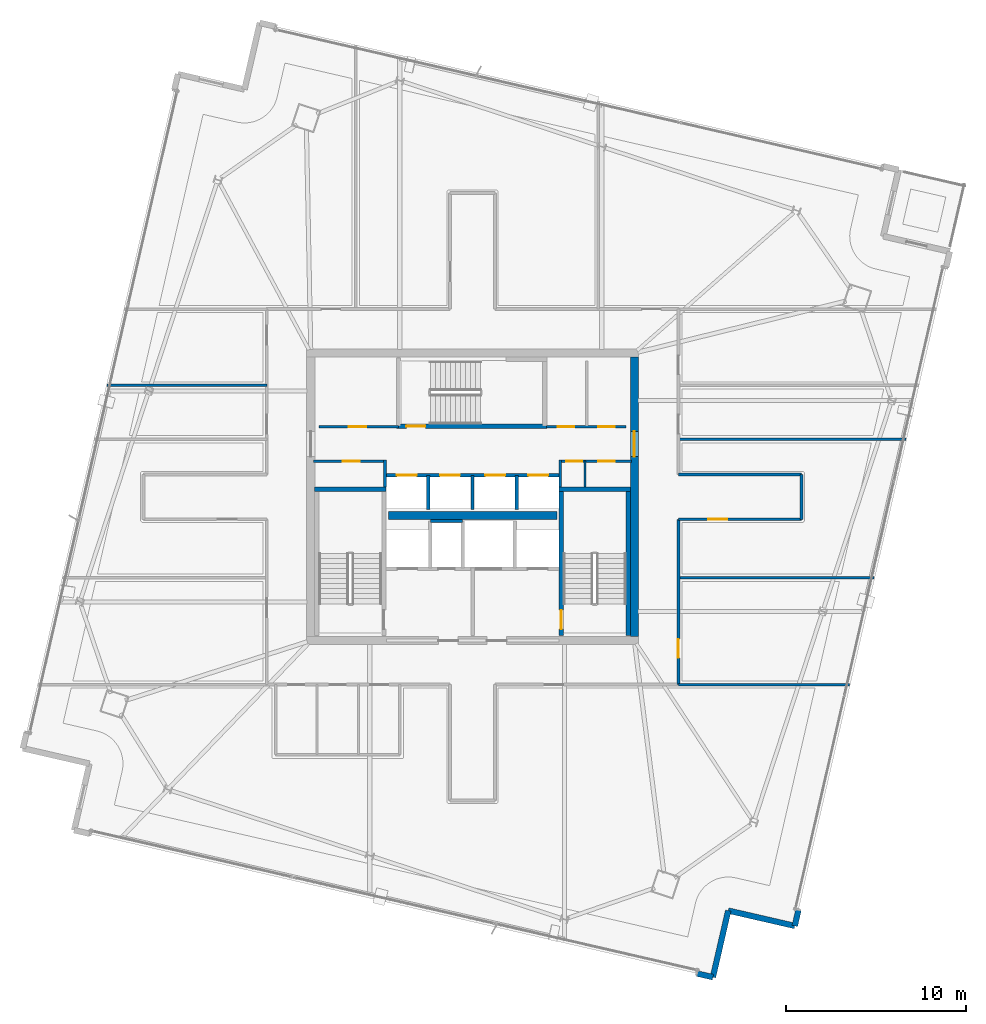
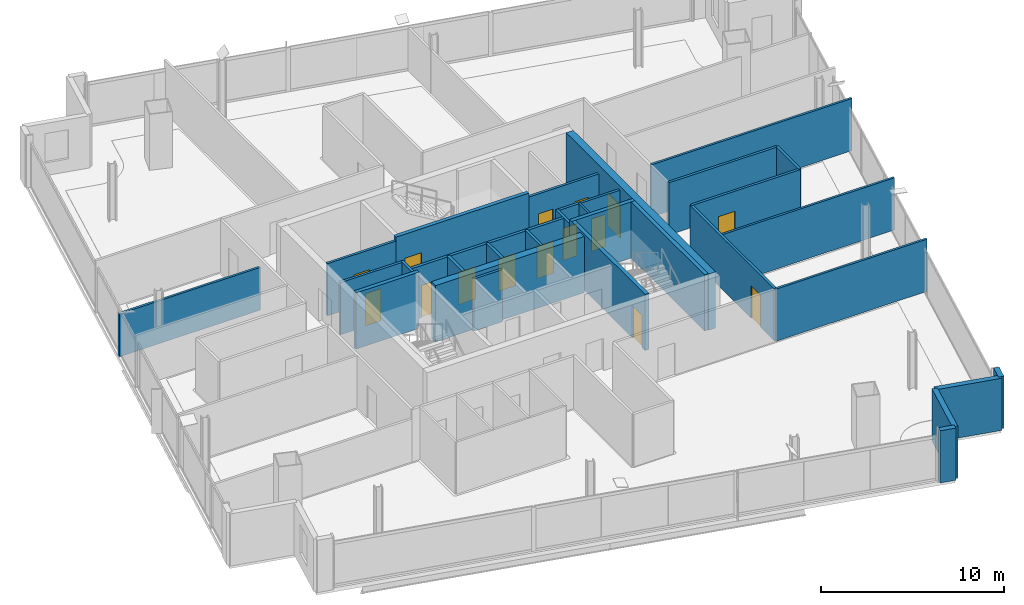
# One storey, part 21 of 28: 31 walls, 15 doors, 15 openings.
"""IFC4 building model written with IfcOpenShell, lengths in metres."""

from ifc_helpers import new_model, si_unit, direction, frame, frame_2d, origin, place, context, subcontext, project, spatial, rectangle, extrude, material, layer, layer_set, type_object, element, fill, save


model = new_model("IFC4")

# Units and contexts
model_context = context("Model", 3, precision=1e-05, world=origin(), true_north=direction((0.0, 1.0)))
body_context = subcontext(model_context, "Body", "Model", "MODEL_VIEW")
ifc_project = project(units=[si_unit("LENGTHUNIT", "METRE"), si_unit("AREAUNIT", "SQUARE_METRE"), si_unit("VOLUMEUNIT", "CUBIC_METRE"), si_unit("PLANEANGLEUNIT", "RADIAN"), si_unit("MASSUNIT", "GRAM", prefix="KILO")], contexts=[model_context])

# Site, building, storey
site_placement = place(None, origin())
site = spatial("IfcSite", under=ifc_project, at=site_placement, CompositionType="ELEMENT")
building_placement = place(site_placement, origin())
building = spatial("IfcBuilding", under=site, at=building_placement, Name="Haldenkirk Collegiate Tower", CompositionType="ELEMENT")
storey_placement = place(building_placement, frame((0.0, 0.0, 286.199951171875)))
storey = spatial("IfcBuildingStorey", under=building, at=storey_placement, Name="L72", CompositionType="ELEMENT", Elevation=286.199951171875)

# Wall, opening, door
ifc_material_1 = material(Name="Concrete f'c 55 MPa", Category="concrete")
ifc_layer_1 = layer(ifc_material_1, 0.449951171875)
ifc_layer_set_1 = layer_set([ifc_layer_1], Name="Concrete f'c 55 MPa")
wall_type_1 = type_object("IfcWallType", Name="WL-CORE-450", PredefinedType="SHEAR", material=ifc_layer_set_1)
wall_1_placement = place(storey_placement, frame((45.0, 18.22509765625, 0.0), z_axis=(0.0, 0.0, 1.0), x_axis=(0.0, 1.0, 0.0)))
wall_1 = element("IfcWall", 1, at=wall_1_placement, inside=storey, type_object=wall_type_1, Name="L72 central core shear wall E", PredefinedType="SHEAR", context=body_context, shape_type="SweptSolid", body=[
    extrude(rectangle(XDim=15.5498046875, YDim=0.449951171875, at=frame_2d((7.77490234375, 0.0))), origin(), (0.0, 0.0, 1.0), 3.75),
])
opening_1_placement = place(wall_1_placement, frame((10.014892578125, 0.0, 0.0)))
opening_1 = element("IfcOpeningElement", 2, at=opening_1_placement, cuts=wall_1, Name="Opening D-03", PredefinedType="OPENING", context=body_context, shape_type="SweptSolid", body=[
    extrude(rectangle(XDim=1.39990234375, YDim=2.199951171875, at=frame_2d((0.699951171875, 1.10009765625))), frame((0.0, 0.23486328125, 0.0), z_axis=(0.0, -1.0, 0.0), x_axis=(1.0, 0.0, 0.0)), (0.0, 0.0, 1.0), 0.469970703125),
])
ifc_material_2 = material(Name="Galvanized fire-rated hollow steel door", Category="steel")
ifc_layer_2 = layer(ifc_material_2, 0.06005859375)
ifc_layer_set_2 = layer_set([ifc_layer_2], Name="Galvanized fire-rated hollow steel door")
door_type_1 = type_object("IfcDoorType", Name="DR-LOBBY-FD90-1400", OperationType="NOTDEFINED", PredefinedType="DOOR", material=ifc_layer_set_2)
door_1_placement = place(opening_1_placement, origin())
door_1 = element("IfcDoor", 3, at=door_1_placement, inside=storey, type_object=door_type_1, Name="L72 east lift lobby portal", OperationType="DOUBLE_DOOR_SINGLE_SWING", OverallHeight=2.199951171875, OverallWidth=1.39990234375, PredefinedType="DOOR", context=body_context, shape_type="SweptSolid", body=[
    extrude(rectangle(XDim=1.39990234375, YDim=2.199951171875, at=frame_2d((0.699951171875, 1.10009765625))), frame((0.0, 0.02490234375, 0.0), z_axis=(0.0, -1.0, 0.0), x_axis=(1.0, 0.0, 0.0)), (0.0, 0.0, 1.0), 0.050048828125),
])
fill(opening_1, door_1)

# Walls
wall_2_placement = place(storey_placement, frame((31.31005859375, 24.949951171875, 0.0), z_axis=(0.0, 0.0, 1.0), x_axis=(1.0, 0.0, 0.0)))
element("IfcWall", 4, at=wall_2_placement, inside=storey, type_object=wall_type_1, Name="L72 central core spine shear wall", PredefinedType="SHEAR", context=body_context, shape_type="SweptSolid", body=[
    extrude(rectangle(XDim=9.3798828125, YDim=0.449951171875, at=frame_2d((4.68994140625, 0.0))), origin(), (0.0, 0.0, 1.0), 3.75),
])
ifc_material_3 = material(Name="Precast concrete f'c 40 MPa", Category="concrete")
ifc_layer_3 = layer(ifc_material_3, 0.320068359375)
ifc_layer_set_3 = layer_set([ifc_layer_3], Name="Precast concrete f'c 40 MPa")
wall_type_2 = type_object("IfcWallType", Name="WL-EXT-TWR-320", PredefinedType="STANDARD", material=ifc_layer_set_3)
wall_3_placement = place(storey_placement, frame((54.132080078125, 3.001708984375, 0.0), z_axis=(0.0, 0.0, 1.0), x_axis=(-0.224047221593, -0.974578289568, 0.0)))
element("IfcWall", 5, at=wall_3_placement, inside=storey, type_object=wall_type_2, Name="L72 precast corner pier SR", PredefinedType="STANDARD", context=body_context, shape_type="SweptSolid", body=[
    extrude(rectangle(XDim=0.900146484375, YDim=0.320068359375, at=frame_2d((0.4501953125, 0.0))), origin(), (0.0, 0.0, 1.0), 3.47998046875),
])
wall_4_placement = place(storey_placement, frame((49.37548828125, -0.727294921875, 0.0), z_axis=(0.0, 0.0, 1.0), x_axis=(-0.974564668509, 0.224106463304, 0.0)))
element("IfcWall", 6, at=wall_4_placement, inside=storey, type_object=wall_type_2, Name="L72 precast corner pier WL", PredefinedType="STANDARD", context=body_context, shape_type="SweptSolid", body=[
    extrude(rectangle(XDim=0.89990234375, YDim=0.320068359375, at=frame_2d((0.449951171875, 0.0))), origin(), (0.0, 0.0, 1.0), 3.47998046875),
])
wall_5_placement = place(storey_placement, frame((50.227294921875, 2.97607421875, 0.0), z_axis=(0.0, 0.0, 1.0), x_axis=(-0.224155625319, -0.974553362129, 0.0)))
element("IfcWall", 7, at=wall_5_placement, inside=storey, type_object=wall_type_2, Name="L72 bronze precast notch wall 11", PredefinedType="STANDARD", context=body_context, shape_type="SweptSolid", body=[
    extrude(rectangle(XDim=3.800048828125, YDim=0.320068359375, at=frame_2d((1.89990234375, 0.0))), origin(), (0.0, 0.0, 1.0), 3.47998046875),
])
wall_6_placement = place(storey_placement, frame((53.930419921875, 2.12451171875, 0.0), z_axis=(0.0, 0.0, 1.0), x_axis=(-0.974564168448, 0.224108637892, 0.0)))
element("IfcWall", 8, at=wall_6_placement, inside=storey, type_object=wall_type_2, Name="L72 bronze precast notch wall 12", PredefinedType="STANDARD", context=body_context, shape_type="SweptSolid", body=[
    extrude(rectangle(XDim=3.7998046875, YDim=0.320068359375, at=frame_2d((1.89990234375, 0.0))), origin(), (0.0, 0.0, 1.0), 3.47998046875),
])

# Wall, opening, door
ifc_material_4 = material(Name="Acoustic fire-rated gypsum partition", Category="concrete")
ifc_layer_4 = layer(ifc_material_4, 0.159912109375)
ifc_layer_set_4 = layer_set([ifc_layer_4], Name="Acoustic fire-rated gypsum partition")
wall_type_3 = type_object("IfcWallType", Name="WL-INT-CORR-160", PredefinedType="PARTITIONING", material=ifc_layer_set_4)
wall_7_placement = place(storey_placement, frame((27.14990234375, 27.97998046875, 0.0), z_axis=(0.0, 0.0, 1.0), x_axis=(1.0, 0.0, 0.0)))
wall_7 = element("IfcWall", 9, at=wall_7_placement, inside=storey, type_object=wall_type_3, Name="L72 interior partition IW-L72-VCSW-N", PredefinedType="PARTITIONING", context=body_context, shape_type="SweptSolid", body=[
    extrude(rectangle(XDim=4.050048828125, YDim=0.159912109375, at=frame_2d((2.02490234375, 0.0))), origin(), (0.0, 0.0, 1.0), 3.47998046875),
])
opening_2_placement = place(wall_7_placement, frame((1.625, 0.0, 0.0)))
opening_2 = element("IfcOpeningElement", 10, at=opening_2_placement, cuts=wall_7, Name="Opening D-10", PredefinedType="OPENING", context=body_context, shape_type="SweptSolid", body=[
    extrude(rectangle(XDim=0.949951171875, YDim=2.14990234375, at=frame_2d((0.47509765625, 1.074951171875))), frame((0.0, 0.08984375, 0.0), z_axis=(0.0, -1.0, 0.0), x_axis=(1.0, 0.0, 0.0)), (0.0, 0.0, 1.0), 0.179931640625),
])
ifc_material_5 = material(Name="Solid-core architectural oak fire door", Category="wood")
ifc_layer_5 = layer(ifc_material_5, 0.06005859375)
ifc_layer_set_5 = layer_set([ifc_layer_5], Name="Solid-core architectural oak fire door")
door_type_2 = type_object("IfcDoorType", Name="DR-INT-FD60-950", OperationType="NOTDEFINED", PredefinedType="DOOR", material=ifc_layer_set_5)
door_2_placement = place(opening_2_placement, origin())
door_2 = element("IfcDoor", 11, at=door_2_placement, inside=storey, type_object=door_type_2, Name="L72 core tea pantry door", OperationType="SINGLE_SWING_LEFT", OverallHeight=2.14990234375, OverallWidth=0.949951171875, PredefinedType="DOOR", context=body_context, shape_type="SweptSolid", body=[
    extrude(rectangle(XDim=0.949951171875, YDim=2.14990234375, at=frame_2d((0.47509765625, 1.074951171875))), frame((0.0, 0.02490234375, 0.0), z_axis=(0.0, -1.0, 0.0), x_axis=(1.0, 0.0, 0.0)), (0.0, 0.0, 1.0), 0.050048828125),
])
fill(opening_2, door_2)

# Wall
wall_8_placement = place(storey_placement, frame((31.1201171875, 26.5400390625, 0.0), z_axis=(0.0, 0.0, 1.0), x_axis=(0.0, 1.0, 0.0)))
element("IfcWall", 12, at=wall_8_placement, inside=storey, type_object=wall_type_3, Name="L72 interior partition IW-L72-VCSW-E", PredefinedType="PARTITIONING", context=body_context, shape_type="SweptSolid", body=[
    extrude(rectangle(XDim=1.510009765625, YDim=0.159912109375, at=frame_2d((0.7548828125, 0.0))), origin(), (0.0, 0.0, 1.0), 3.47998046875),
])

# Wall, openings, doors
wall_9_placement = place(storey_placement, frame((40.800048828125, 27.97998046875, 0.0), z_axis=(0.0, 0.0, 1.0), x_axis=(1.0, 0.0, 0.0)))
wall_9 = element("IfcWall", 13, at=wall_9_placement, inside=storey, type_object=wall_type_3, Name="L72 interior partition IW-L72-VCSE-N", PredefinedType="PARTITIONING", context=body_context, shape_type="SweptSolid", body=[
    extrude(rectangle(XDim=4.050048828125, YDim=0.159912109375, at=frame_2d((2.02490234375, 0.0))), origin(), (0.0, 0.0, 1.0), 3.47998046875),
])
opening_3_placement = place(wall_9_placement, frame((0.407470703125, 0.0, 0.0)))
opening_3 = element("IfcOpeningElement", 14, at=opening_3_placement, cuts=wall_9, Name="Opening D-11", PredefinedType="OPENING", context=body_context, shape_type="SweptSolid", body=[
    extrude(rectangle(XDim=0.89990234375, YDim=2.14990234375, at=frame_2d((0.449951171875, 1.074951171875))), frame((0.0, 0.08984375, 0.0), z_axis=(0.0, -1.0, 0.0), x_axis=(1.0, 0.0, 0.0)), (0.0, 0.0, 1.0), 0.179931640625),
])
opening_4_placement = place(wall_9_placement, frame((2.199951171875, 0.0, 0.0)))
opening_4 = element("IfcOpeningElement", 15, at=opening_4_placement, cuts=wall_9, Name="Opening D-11", PredefinedType="OPENING", context=body_context, shape_type="SweptSolid", body=[
    extrude(rectangle(XDim=0.89990234375, YDim=2.14990234375, at=frame_2d((0.449951171875, 1.074951171875))), frame((0.0, 0.08984375, 0.0), z_axis=(0.0, -1.0, 0.0), x_axis=(1.0, 0.0, 0.0)), (0.0, 0.0, 1.0), 0.179931640625),
])
ifc_layer_6 = layer(ifc_material_5, 0.06005859375)
ifc_layer_set_6 = layer_set([ifc_layer_6], Name="Solid-core architectural oak fire door")
door_type_3 = type_object("IfcDoorType", Name="DR-INT-FD60-900", OperationType="NOTDEFINED", PredefinedType="DOOR", material=ifc_layer_set_6)
door_3_placement = place(opening_3_placement, origin())
door_3 = element("IfcDoor", 16, at=door_3_placement, inside=storey, type_object=door_type_3, Name="L72 core copy room door", OperationType="SINGLE_SWING_RIGHT", OverallHeight=2.14990234375, OverallWidth=0.89990234375, PredefinedType="DOOR", context=body_context, shape_type="SweptSolid", body=[
    extrude(rectangle(XDim=0.89990234375, YDim=2.14990234375, at=frame_2d((0.449951171875, 1.074951171875))), frame((0.0, 0.02490234375, 0.0), z_axis=(0.0, -1.0, 0.0), x_axis=(1.0, 0.0, 0.0)), (0.0, 0.0, 1.0), 0.050048828125),
])
fill(opening_3, door_3)
door_4_placement = place(opening_4_placement, origin())
door_4 = element("IfcDoor", 17, at=door_4_placement, inside=storey, type_object=door_type_3, Name="L72 core records store door", OperationType="SINGLE_SWING_LEFT", OverallHeight=2.14990234375, OverallWidth=0.89990234375, PredefinedType="DOOR", context=body_context, shape_type="SweptSolid", body=[
    extrude(rectangle(XDim=0.89990234375, YDim=2.14990234375, at=frame_2d((0.449951171875, 1.074951171875))), frame((0.0, 0.02490234375, 0.0), z_axis=(0.0, -1.0, 0.0), x_axis=(1.0, 0.0, 0.0)), (0.0, 0.0, 1.0), 0.050048828125),
])
fill(opening_4, door_4)

# Wall
wall_10_placement = place(storey_placement, frame((40.8798828125, 26.5400390625, 0.0), z_axis=(0.0, 0.0, 1.0), x_axis=(0.0, 1.0, 0.0)))
element("IfcWall", 18, at=wall_10_placement, inside=storey, type_object=wall_type_3, Name="L72 interior partition IW-L72-VCSE-W", PredefinedType="PARTITIONING", context=body_context, shape_type="SweptSolid", body=[
    extrude(rectangle(XDim=1.510009765625, YDim=0.159912109375, at=frame_2d((0.7548828125, 0.0))), origin(), (0.0, 0.0, 1.0), 3.47998046875),
])

# Wall, opening, door
wall_11_placement = place(storey_placement, frame((27.449951171875, 29.89990234375, 0.0), z_axis=(0.0, 0.0, 1.0), x_axis=(1.0, 0.0, 0.0)))
wall_11 = element("IfcWall", 19, at=wall_11_placement, inside=storey, type_object=wall_type_3, Name="L72 interior partition IW-L72-PLS", PredefinedType="PARTITIONING", context=body_context, shape_type="SweptSolid", body=[
    extrude(rectangle(XDim=4.429931640625, YDim=0.159912109375, at=frame_2d((2.21484375, 0.0))), origin(), (0.0, 0.0, 1.0), 3.47998046875),
])
opening_5_placement = place(wall_11_placement, frame((1.675048828125, 0.0, 0.0)))
opening_5 = element("IfcOpeningElement", 20, at=opening_5_placement, cuts=wall_11, Name="Opening D-10", PredefinedType="OPENING", context=body_context, shape_type="SweptSolid", body=[
    extrude(rectangle(XDim=0.949951171875, YDim=2.14990234375, at=frame_2d((0.47509765625, 1.074951171875))), frame((0.0, 0.08984375, 0.0), z_axis=(0.0, -1.0, 0.0), x_axis=(1.0, 0.0, 0.0)), (0.0, 0.0, 1.0), 0.179931640625),
])
door_5_placement = place(opening_5_placement, origin())
door_5 = element("IfcDoor", 21, at=door_5_placement, inside=storey, type_object=door_type_2, Name="L72 archive door", OperationType="SINGLE_SWING_RIGHT", OverallHeight=2.14990234375, OverallWidth=0.949951171875, PredefinedType="DOOR", context=body_context, shape_type="SweptSolid", body=[
    extrude(rectangle(XDim=0.949951171875, YDim=2.14990234375, at=frame_2d((0.47509765625, 1.074951171875))), frame((0.0, 0.02490234375, 0.0), z_axis=(0.0, -1.0, 0.0), x_axis=(1.0, 0.0, 0.0)), (0.0, 0.0, 1.0), 0.050048828125),
])
fill(opening_5, door_5)

# Wall, openings, doors
wall_12_placement = place(storey_placement, frame((40.1201171875, 29.89990234375, 0.0), z_axis=(0.0, 0.0, 1.0), x_axis=(1.0, 0.0, 0.0)))
wall_12 = element("IfcWall", 22, at=wall_12_placement, inside=storey, type_object=wall_type_3, Name="L72 interior partition IW-L72-PMS", PredefinedType="PARTITIONING", context=body_context, shape_type="SweptSolid", body=[
    extrude(rectangle(XDim=4.429931640625, YDim=0.159912109375, at=frame_2d((2.21484375, 0.0))), origin(), (0.0, 0.0, 1.0), 3.47998046875),
])
opening_6_placement = place(wall_12_placement, frame((0.6298828125, 0.0, 0.0)))
opening_6 = element("IfcOpeningElement", 23, at=opening_6_placement, cuts=wall_12, Name="Opening D-11", PredefinedType="OPENING", context=body_context, shape_type="SweptSolid", body=[
    extrude(rectangle(XDim=0.89990234375, YDim=2.14990234375, at=frame_2d((0.449951171875, 1.074951171875))), frame((0.0, 0.08984375, 0.0), z_axis=(0.0, -1.0, 0.0), x_axis=(1.0, 0.0, 0.0)), (0.0, 0.0, 1.0), 0.179931640625),
])
opening_7_placement = place(wall_12_placement, frame((2.8798828125, 0.0, 0.0)))
opening_7 = element("IfcOpeningElement", 24, at=opening_7_placement, cuts=wall_12, Name="Opening D-11", PredefinedType="OPENING", context=body_context, shape_type="SweptSolid", body=[
    extrude(rectangle(XDim=0.89990234375, YDim=2.14990234375, at=frame_2d((0.449951171875, 1.074951171875))), frame((0.0, 0.08984375, 0.0), z_axis=(0.0, -1.0, 0.0), x_axis=(1.0, 0.0, 0.0)), (0.0, 0.0, 1.0), 0.179931640625),
])
door_6_placement = place(opening_6_placement, origin())
door_6 = element("IfcDoor", 25, at=door_6_placement, inside=storey, type_object=door_type_3, Name="L72 staff WC door", OperationType="SINGLE_SWING_LEFT", OverallHeight=2.14990234375, OverallWidth=0.89990234375, PredefinedType="DOOR", context=body_context, shape_type="SweptSolid", body=[
    extrude(rectangle(XDim=0.89990234375, YDim=2.14990234375, at=frame_2d((0.449951171875, 1.074951171875))), frame((0.0, 0.02490234375, 0.0), z_axis=(0.0, -1.0, 0.0), x_axis=(1.0, 0.0, 0.0)), (0.0, 0.0, 1.0), 0.050048828125),
])
fill(opening_6, door_6)
door_7_placement = place(opening_7_placement, origin())
door_7 = element("IfcDoor", 26, at=door_7_placement, inside=storey, type_object=door_type_3, Name="L72 seminar alcove door", OperationType="SINGLE_SWING_RIGHT", OverallHeight=2.14990234375, OverallWidth=0.89990234375, PredefinedType="DOOR", context=body_context, shape_type="SweptSolid", body=[
    extrude(rectangle(XDim=0.89990234375, YDim=2.14990234375, at=frame_2d((0.449951171875, 1.074951171875))), frame((0.0, 0.02490234375, 0.0), z_axis=(0.0, -1.0, 0.0), x_axis=(1.0, 0.0, 0.0)), (0.0, 0.0, 1.0), 0.050048828125),
])
fill(opening_7, door_7)

# Wall, opening, door
wall_13_placement = place(storey_placement, frame((47.449951171875, 15.550048828125, 0.0), z_axis=(0.0, 0.0, 1.0), x_axis=(0.0, 1.0, 0.0)))
wall_13 = element("IfcWall", 27, at=wall_13_placement, inside=storey, type_object=wall_type_3, Name="L72 interior partition IW-L72-CE1", PredefinedType="PARTITIONING", context=body_context, shape_type="SweptSolid", body=[
    extrude(rectangle(XDim=9.199951171875, YDim=0.159912109375, at=frame_2d((4.60009765625, 0.0))), origin(), (0.0, 0.0, 1.0), 3.47998046875),
])
opening_8_placement = place(wall_13_placement, frame((1.485107421875, 0.0, 0.0)))
opening_8 = element("IfcOpeningElement", 28, at=opening_8_placement, cuts=wall_13, Name="Opening D-09", PredefinedType="OPENING", context=body_context, shape_type="SweptSolid", body=[
    extrude(rectangle(XDim=1.050048828125, YDim=2.14990234375, at=frame_2d((0.52490234375, 1.074951171875))), frame((0.0, 0.08984375, 0.0), z_axis=(0.0, -1.0, 0.0), x_axis=(1.0, 0.0, 0.0)), (0.0, 0.0, 1.0), 0.179931640625),
])
ifc_layer_7 = layer(ifc_material_5, 0.06005859375)
ifc_layer_set_7 = layer_set([ifc_layer_7], Name="Solid-core architectural oak fire door")
door_type_4 = type_object("IfcDoorType", Name="DR-INT-FD60-1050", OperationType="NOTDEFINED", PredefinedType="DOOR", material=ifc_layer_set_7)
door_8_placement = place(opening_8_placement, origin())
door_8 = element("IfcDoor", 29, at=door_8_placement, inside=storey, type_object=door_type_4, Name="L72 Faculty Tea Kitchen 9 door", OperationType="SINGLE_SWING_RIGHT", OverallHeight=2.14990234375, OverallWidth=1.050048828125, PredefinedType="DOOR", context=body_context, shape_type="SweptSolid", body=[
    extrude(rectangle(XDim=1.050048828125, YDim=2.14990234375, at=frame_2d((0.52490234375, 1.074951171875))), frame((0.0, 0.02490234375, 0.0), z_axis=(0.0, -1.0, 0.0), x_axis=(1.0, 0.0, 0.0)), (0.0, 0.0, 1.0), 0.050048828125),
])
fill(opening_8, door_8)

wall_14_placement = place(storey_placement, frame((47.449951171875, 24.75, 0.0), z_axis=(0.0, 0.0, 1.0), x_axis=(1.0, 0.0, 0.0)))
wall_14 = element("IfcWall", 30, at=wall_14_placement, inside=storey, type_object=wall_type_3, Name="L72 interior partition IW-L72-EPS", PredefinedType="PARTITIONING", context=body_context, shape_type="SweptSolid", body=[
    extrude(rectangle(XDim=6.85009765625, YDim=0.159912109375, at=frame_2d((3.425048828125, 0.0))), origin(), (0.0, 0.0, 1.0), 3.47998046875),
])
opening_9_placement = place(wall_14_placement, frame((1.6669921875, 0.0, 0.0)))
opening_9 = element("IfcOpeningElement", 31, at=opening_9_placement, cuts=wall_14, Name="Opening D-09", PredefinedType="OPENING", context=body_context, shape_type="SweptSolid", body=[
    extrude(rectangle(XDim=1.050048828125, YDim=2.14990234375, at=frame_2d((0.52490234375, 1.074951171875))), frame((0.0, 0.08984375, 0.0), z_axis=(0.0, -1.0, 0.0), x_axis=(1.0, 0.0, 0.0)), (0.0, 0.0, 1.0), 0.179931640625),
])
door_9_placement = place(opening_9_placement, origin())
door_9 = element("IfcDoor", 32, at=door_9_placement, inside=storey, type_object=door_type_4, Name="L72 Academic Tea Kitchen 10 door", OperationType="SINGLE_SWING_LEFT", OverallHeight=2.14990234375, OverallWidth=1.050048828125, PredefinedType="DOOR", context=body_context, shape_type="SweptSolid", body=[
    extrude(rectangle(XDim=1.050048828125, YDim=2.14990234375, at=frame_2d((0.52490234375, 1.074951171875))), frame((0.0, 0.02490234375, 0.0), z_axis=(0.0, -1.0, 0.0), x_axis=(1.0, 0.0, 0.0)), (0.0, 0.0, 1.0), 0.050048828125),
])
fill(opening_9, door_9)

# Walls
wall_15_placement = place(storey_placement, frame((47.449951171875, 27.25, 0.0), z_axis=(0.0, 0.0, 1.0), x_axis=(1.0, 0.0, 0.0)))
element("IfcWall", 33, at=wall_15_placement, inside=storey, type_object=wall_type_3, Name="L72 interior partition IW-L72-EPN", PredefinedType="PARTITIONING", context=body_context, shape_type="SweptSolid", body=[
    extrude(rectangle(XDim=6.85009765625, YDim=0.159912109375, at=frame_2d((3.425048828125, 0.0))), origin(), (0.0, 0.0, 1.0), 3.47998046875),
])
wall_16_placement = place(storey_placement, frame((54.300048828125, 24.75, 0.0), z_axis=(0.0, 0.0, 1.0), x_axis=(0.0, 1.0, 0.0)))
element("IfcWall", 34, at=wall_16_placement, inside=storey, type_object=wall_type_3, Name="L72 interior partition IW-L72-EPE", PredefinedType="PARTITIONING", context=body_context, shape_type="SweptSolid", body=[
    extrude(rectangle(XDim=2.5, YDim=0.159912109375, at=frame_2d((1.25, 0.0))), origin(), (0.0, 0.0, 1.0), 3.47998046875),
])
ifc_layer_8 = layer(ifc_material_4, 0.139892578125)
ifc_layer_set_8 = layer_set([ifc_layer_8], Name="Acoustic fire-rated gypsum partition")
wall_type_4 = type_object("IfcWallType", Name="WL-INT-DIV-140", PredefinedType="PARTITIONING", material=ifc_layer_set_8)
wall_17_placement = place(storey_placement, frame((47.449951171875, 15.550048828125, 0.0), z_axis=(0.0, 0.0, 1.0), x_axis=(1.0, 0.0, 0.0)))
element("IfcWall", 35, at=wall_17_placement, inside=storey, type_object=wall_type_4, Name="L72 interior partition IW-L72-BES", PredefinedType="PARTITIONING", context=body_context, shape_type="SweptSolid", body=[
    extrude(rectangle(XDim=9.526611328125, YDim=0.139892578125, at=frame_2d((4.76318359375, 0.0))), origin(), (0.0, 0.0, 1.0), 3.47998046875),
])
wall_18_placement = place(storey_placement, frame((15.662109375, 32.199951171875, 0.0), z_axis=(0.0, 0.0, 1.0), x_axis=(1.0, 0.0, 0.0)))
element("IfcWall", 36, at=wall_18_placement, inside=storey, type_object=wall_type_4, Name="L72 interior partition IW-L72-RW3", PredefinedType="PARTITIONING", context=body_context, shape_type="SweptSolid", body=[
    extrude(rectangle(XDim=8.887939453125, YDim=0.139892578125, at=frame_2d((4.44384765625, 0.0))), origin(), (0.0, 0.0, 1.0), 2.858154296875),
])
wall_19_placement = place(storey_placement, frame((47.449951171875, 21.5, 0.0), z_axis=(0.0, 0.0, 1.0), x_axis=(1.0, 0.0, 0.0)))
element("IfcWall", 37, at=wall_19_placement, inside=storey, type_object=wall_type_4, Name="L72 interior partition IW-L72-RE1", PredefinedType="PARTITIONING", context=body_context, shape_type="SweptSolid", body=[
    extrude(rectangle(XDim=10.894775390625, YDim=0.139892578125, at=frame_2d((5.447265625, 0.0))), origin(), (0.0, 0.0, 1.0), 3.47998046875),
])
wall_20_placement = place(storey_placement, frame((47.449951171875, 29.199951171875, 0.0), z_axis=(0.0, 0.0, 1.0), x_axis=(1.0, 0.0, 0.0)))
element("IfcWall", 38, at=wall_20_placement, inside=storey, type_object=wall_type_4, Name="L72 interior partition IW-L72-RE2", PredefinedType="PARTITIONING", context=body_context, shape_type="SweptSolid", body=[
    extrude(rectangle(XDim=12.66552734375, YDim=0.139892578125, at=frame_2d((6.332763671875, 0.0))), origin(), (0.0, 0.0, 1.0), 3.47998046875),
])
ifc_material_6 = material(Name="Fire-rated gypsum shaftboard assembly", Category="concrete")
ifc_layer_9 = layer(ifc_material_6, 0.179931640625)
ifc_layer_set_9 = layer_set([ifc_layer_9], Name="Fire-rated gypsum shaftboard assembly")
wall_type_5 = type_object("IfcWallType", Name="WL-INT-SHAFT-180", PredefinedType="PARTITIONING", material=ifc_layer_set_9)
wall_21_placement = place(storey_placement, frame((33.64990234375, 24.64990234375, 0.0), z_axis=(0.0, 0.0, 1.0), x_axis=(1.0, 0.0, 0.0)))
element("IfcWall", 39, at=wall_21_placement, inside=storey, type_object=wall_type_5, Name="L72 interior partition IW-L72-RSRN", PredefinedType="PARTITIONING", context=body_context, shape_type="SweptSolid", body=[
    extrude(rectangle(XDim=1.800048828125, YDim=0.179931640625, at=frame_2d((0.89990234375, 0.0))), origin(), (0.0, 0.0, 1.0), 3.47998046875),
])

# Wall, openings, doors
wall_22_placement = place(storey_placement, frame((31.199951171875, 27.199951171875, 0.0), z_axis=(0.0, 0.0, 1.0), x_axis=(1.0, 0.0, 0.0)))
wall_22 = element("IfcWall", 40, at=wall_22_placement, inside=storey, type_object=wall_type_5, Name="L72 interior partition IW-L72-PHN", PredefinedType="PARTITIONING", context=body_context, shape_type="SweptSolid", body=[
    extrude(rectangle(XDim=9.60009765625, YDim=0.179931640625, at=frame_2d((4.800048828125, 0.0))), origin(), (0.0, 0.0, 1.0), 3.47998046875),
])
opening_10_placement = place(wall_22_placement, frame((0.590087890625, 0.0, 0.0)))
opening_10 = element("IfcOpeningElement", 41, at=opening_10_placement, cuts=wall_22, Name="Opening LD-11", PredefinedType="OPENING", context=body_context, shape_type="SweptSolid", body=[
    extrude(rectangle(XDim=1.10009765625, YDim=2.14990234375, at=frame_2d((0.550048828125, 1.074951171875))), frame((0.0, 0.099853515625, 0.0), z_axis=(0.0, -1.0, 0.0), x_axis=(1.0, 0.0, 0.0)), (0.0, 0.0, 1.0), 0.199951171875),
])
opening_11_placement = place(wall_22_placement, frame((2.989990234375, 0.0, 0.0)))
opening_11 = element("IfcOpeningElement", 42, at=opening_11_placement, cuts=wall_22, Name="Opening LD-11", PredefinedType="OPENING", context=body_context, shape_type="SweptSolid", body=[
    extrude(rectangle(XDim=1.10009765625, YDim=2.14990234375, at=frame_2d((0.550048828125, 1.074951171875))), frame((0.0, 0.099853515625, 0.0), z_axis=(0.0, -1.0, 0.0), x_axis=(1.0, 0.0, 0.0)), (0.0, 0.0, 1.0), 0.199951171875),
])
opening_12_placement = place(wall_22_placement, frame((5.510009765625, 0.0, 0.0)))
opening_12 = element("IfcOpeningElement", 43, at=opening_12_placement, cuts=wall_22, Name="Opening LD-11", PredefinedType="OPENING", context=body_context, shape_type="SweptSolid", body=[
    extrude(rectangle(XDim=1.10009765625, YDim=2.14990234375, at=frame_2d((0.550048828125, 1.074951171875))), frame((0.0, 0.099853515625, 0.0), z_axis=(0.0, -1.0, 0.0), x_axis=(1.0, 0.0, 0.0)), (0.0, 0.0, 1.0), 0.199951171875),
])
opening_13_placement = place(wall_22_placement, frame((7.909912109375, 0.0, 0.0)))
opening_13 = element("IfcOpeningElement", 44, at=opening_13_placement, cuts=wall_22, Name="Opening LD-11", PredefinedType="OPENING", context=body_context, shape_type="SweptSolid", body=[
    extrude(rectangle(XDim=1.10009765625, YDim=2.14990234375, at=frame_2d((0.550048828125, 1.074951171875))), frame((0.0, 0.099853515625, 0.0), z_axis=(0.0, -1.0, 0.0), x_axis=(1.0, 0.0, 0.0)), (0.0, 0.0, 1.0), 0.199951171875),
])
ifc_material_7 = material(Name="Brushed architectural stainless steel", Category="steel")
ifc_layer_10 = layer(ifc_material_7, 0.06005859375)
ifc_layer_set_10 = layer_set([ifc_layer_10], Name="Brushed architectural stainless steel")
door_type_5 = type_object("IfcDoorType", Name="LD-PASS-1100", OperationType="NOTDEFINED", PredefinedType="DOOR", material=ifc_layer_set_10)
door_10_placement = place(opening_10_placement, origin())
door_10 = element("IfcDoor", 45, at=door_10_placement, inside=storey, type_object=door_type_5, Name="L72 Elevator PH1 sliding landing door", OperationType="SLIDING_TO_LEFT", OverallHeight=2.14990234375, OverallWidth=1.10009765625, PredefinedType="DOOR", context=body_context, shape_type="SweptSolid", body=[
    extrude(rectangle(XDim=1.10009765625, YDim=2.14990234375, at=frame_2d((0.550048828125, 1.074951171875))), frame((0.0, 0.02490234375, 0.0), z_axis=(0.0, -1.0, 0.0), x_axis=(1.0, 0.0, 0.0)), (0.0, 0.0, 1.0), 0.050048828125),
])
fill(opening_10, door_10)
door_11_placement = place(opening_11_placement, origin())
door_11 = element("IfcDoor", 46, at=door_11_placement, inside=storey, type_object=door_type_5, Name="L72 Elevator PH2 sliding landing door", OperationType="SLIDING_TO_LEFT", OverallHeight=2.14990234375, OverallWidth=1.10009765625, PredefinedType="DOOR", context=body_context, shape_type="SweptSolid", body=[
    extrude(rectangle(XDim=1.10009765625, YDim=2.14990234375, at=frame_2d((0.550048828125, 1.074951171875))), frame((0.0, 0.02490234375, 0.0), z_axis=(0.0, -1.0, 0.0), x_axis=(1.0, 0.0, 0.0)), (0.0, 0.0, 1.0), 0.050048828125),
])
fill(opening_11, door_11)
door_12_placement = place(opening_12_placement, origin())
door_12 = element("IfcDoor", 47, at=door_12_placement, inside=storey, type_object=door_type_5, Name="L72 Elevator PH3 sliding landing door", OperationType="SLIDING_TO_LEFT", OverallHeight=2.14990234375, OverallWidth=1.10009765625, PredefinedType="DOOR", context=body_context, shape_type="SweptSolid", body=[
    extrude(rectangle(XDim=1.10009765625, YDim=2.14990234375, at=frame_2d((0.550048828125, 1.074951171875))), frame((0.0, 0.02490234375, 0.0), z_axis=(0.0, -1.0, 0.0), x_axis=(1.0, 0.0, 0.0)), (0.0, 0.0, 1.0), 0.050048828125),
])
fill(opening_12, door_12)
door_13_placement = place(opening_13_placement, origin())
door_13 = element("IfcDoor", 48, at=door_13_placement, inside=storey, type_object=door_type_5, Name="L72 Elevator PH4 sliding landing door", OperationType="SLIDING_TO_LEFT", OverallHeight=2.14990234375, OverallWidth=1.10009765625, PredefinedType="DOOR", context=body_context, shape_type="SweptSolid", body=[
    extrude(rectangle(XDim=1.10009765625, YDim=2.14990234375, at=frame_2d((0.550048828125, 1.074951171875))), frame((0.0, 0.02490234375, 0.0), z_axis=(0.0, -1.0, 0.0), x_axis=(1.0, 0.0, 0.0)), (0.0, 0.0, 1.0), 0.050048828125),
])
fill(opening_13, door_13)

# Walls
for number, where, z_axis, x_axis, name in (
    (49, (33.5400390625, 25.300048828125, 0.0), (0.0, 0.0, 1.0), (0.0, 1.0, 0.0), "L72 interior partition IW-L72-PHV1"),
    (50, (36.0, 25.300048828125, 0.0), (0.0, 0.0, 1.0), (0.0, 1.0, 0.0), "L72 interior partition IW-L72-PHV2"),
    (51, (38.4599609375, 25.300048828125, 0.0), (0.0, 0.0, 1.0), (0.0, 1.0, 0.0), "L72 interior partition IW-L72-PHV3"),
):
    element("IfcWall", number, at=place(storey_placement, frame(where, z_axis=z_axis, x_axis=x_axis)), inside=storey, type_object=wall_type_5, Name=name, PredefinedType="PARTITIONING", context=body_context, shape_type="SweptSolid", body=[
        extrude(rectangle(XDim=1.89990234375, YDim=0.179931640625, at=frame_2d((0.949951171875, 0.0))), origin(), (0.0, 0.0, 1.0), 3.47998046875),
    ])
ifc_layer_11 = layer(ifc_material_4, 0.1201171875)
ifc_layer_set_11 = layer_set([ifc_layer_11], Name="Acoustic fire-rated gypsum partition")
wall_type_6 = type_object("IfcWallType", Name="WL-INT-WET-120", PredefinedType="PARTITIONING", material=ifc_layer_set_11)
wall_23_placement = place(storey_placement, frame((42.25, 26.5400390625, 0.0), z_axis=(0.0, 0.0, 1.0), x_axis=(0.0, 1.0, 0.0)))
element("IfcWall", 52, at=wall_23_placement, inside=storey, type_object=wall_type_6, Name="L72 interior partition IW-L72-VCSE-M", PredefinedType="PARTITIONING", context=body_context, shape_type="SweptSolid", body=[
    extrude(rectangle(XDim=1.43994140625, YDim=0.1201171875, at=frame_2d((0.719970703125, 0.0))), origin(), (0.0, 0.0, 1.0), 3.47998046875),
])
ifc_layer_12 = layer(ifc_material_1, 0.239990234375)
ifc_layer_set_12 = layer_set([ifc_layer_12], Name="Concrete f'c 55 MPa")
wall_type_7 = type_object("IfcWallType", Name="WL-SHAFT-240", PredefinedType="SHEAR", material=ifc_layer_set_12)
wall_24_placement = place(storey_placement, frame((27.2099609375, 26.419921875, 0.0), z_axis=(0.0, 0.0, 1.0), x_axis=(1.0, 0.0, 0.0)))
element("IfcWall", 53, at=wall_24_placement, inside=storey, type_object=wall_type_7, Name="L72 stair shaft shear wall SW-L72-ST1N", PredefinedType="SHEAR", context=body_context, shape_type="SweptSolid", body=[
    extrude(rectangle(XDim=3.97998046875, YDim=0.239990234375, at=frame_2d((1.989990234375, 0.0))), origin(), (0.0, 0.0, 1.0), 3.75),
])

# Wall, opening, door
wall_25_placement = place(storey_placement, frame((40.929931640625, 18.280029296875, 0.0), z_axis=(0.0, 0.0, 1.0), x_axis=(0.0, 1.0, 0.0)))
wall_25 = element("IfcWall", 54, at=wall_25_placement, inside=storey, type_object=wall_type_7, Name="L72 stair shaft shear wall SW-L72-ST2W", PredefinedType="SHEAR", context=body_context, shape_type="SweptSolid", body=[
    extrude(rectangle(XDim=8.260009765625, YDim=0.239990234375, at=frame_2d((4.1298828125, 0.0))), origin(), (0.0, 0.0, 1.0), 3.75),
])
opening_14_placement = place(wall_25_placement, frame((0.364990234375, 0.0, 0.0)))
opening_14 = element("IfcOpeningElement", 55, at=opening_14_placement, cuts=wall_25, Name="Opening D-01", PredefinedType="OPENING", context=body_context, shape_type="SweptSolid", body=[
    extrude(rectangle(XDim=1.050048828125, YDim=2.14990234375, at=frame_2d((0.52490234375, 1.074951171875))), frame((0.0, 0.1298828125, 0.0), z_axis=(0.0, -1.0, 0.0), x_axis=(1.0, 0.0, 0.0)), (0.0, 0.0, 1.0), 0.260009765625),
])
ifc_layer_13 = layer(ifc_material_2, 0.06005859375)
ifc_layer_set_13 = layer_set([ifc_layer_13], Name="Galvanized fire-rated hollow steel door")
door_type_6 = type_object("IfcDoorType", Name="DR-STAIR-FD90-1050", OperationType="NOTDEFINED", PredefinedType="DOOR", material=ifc_layer_set_13)
door_14_placement = place(opening_14_placement, origin())
door_14 = element("IfcDoor", 56, at=door_14_placement, inside=storey, type_object=door_type_6, Name="L72 Stair 2 door", OperationType="SINGLE_SWING_RIGHT", OverallHeight=2.14990234375, OverallWidth=1.050048828125, PredefinedType="DOOR", context=body_context, shape_type="SweptSolid", body=[
    extrude(rectangle(XDim=1.050048828125, YDim=2.14990234375, at=frame_2d((0.52490234375, 1.074951171875))), frame((0.0, 0.02490234375, 0.0), z_axis=(0.0, -1.0, 0.0), x_axis=(1.0, 0.0, 0.0)), (0.0, 0.0, 1.0), 0.050048828125),
])
fill(opening_14, door_14)

# Walls
wall_26_placement = place(storey_placement, frame((40.81005859375, 26.419921875, 0.0), z_axis=(0.0, 0.0, 1.0), x_axis=(1.0, 0.0, 0.0)))
element("IfcWall", 57, at=wall_26_placement, inside=storey, type_object=wall_type_7, Name="L72 stair shaft shear wall SW-L72-ST2N", PredefinedType="SHEAR", context=body_context, shape_type="SweptSolid", body=[
    extrude(rectangle(XDim=3.97998046875, YDim=0.239990234375, at=frame_2d((1.989990234375, 0.0))), origin(), (0.0, 0.0, 1.0), 3.75),
])
wall_27_placement = place(storey_placement, frame((44.669921875, 18.280029296875, 0.0), z_axis=(0.0, 0.0, 1.0), x_axis=(0.0, 1.0, 0.0)))
element("IfcWall", 58, at=wall_27_placement, inside=storey, type_object=wall_type_7, Name="L72 stair shaft shear wall SW-L72-ST2E", PredefinedType="SHEAR", context=body_context, shape_type="SweptSolid", body=[
    extrude(rectangle(XDim=8.260009765625, YDim=0.239990234375, at=frame_2d((4.1298828125, 0.0))), origin(), (0.0, 0.0, 1.0), 3.75),
])

# Wall, opening, door
wall_28_placement = place(storey_placement, frame((31.760009765625, 29.929931640625, 0.0), z_axis=(0.0, 0.0, 1.0), x_axis=(1.0, 0.0, 0.0)))
wall_28 = element("IfcWall", 59, at=wall_28_placement, inside=storey, type_object=wall_type_7, Name="L72 stair shaft shear wall SW-L72-ST3S", PredefinedType="SHEAR", context=body_context, shape_type="SweptSolid", body=[
    extrude(rectangle(XDim=8.3798828125, YDim=0.239990234375, at=frame_2d((4.18994140625, 0.0))), origin(), (0.0, 0.0, 1.0), 3.75),
])
opening_15_placement = place(wall_28_placement, frame((0.56494140625, 0.0, 0.0)))
opening_15 = element("IfcOpeningElement", 60, at=opening_15_placement, cuts=wall_28, Name="Opening D-01", PredefinedType="OPENING", context=body_context, shape_type="SweptSolid", body=[
    extrude(rectangle(XDim=1.050048828125, YDim=2.14990234375, at=frame_2d((0.52490234375, 1.074951171875))), frame((0.0, 0.1298828125, 0.0), z_axis=(0.0, -1.0, 0.0), x_axis=(1.0, 0.0, 0.0)), (0.0, 0.0, 1.0), 0.260009765625),
])
door_15_placement = place(opening_15_placement, origin())
door_15 = element("IfcDoor", 61, at=door_15_placement, inside=storey, type_object=door_type_6, Name="L72 lift lobby Stair 3 door", OperationType="SINGLE_SWING_LEFT", OverallHeight=2.14990234375, OverallWidth=1.050048828125, PredefinedType="DOOR", context=body_context, shape_type="SweptSolid", body=[
    extrude(rectangle(XDim=1.050048828125, YDim=2.14990234375, at=frame_2d((0.52490234375, 1.074951171875))), frame((0.0, 0.02490234375, 0.0), z_axis=(0.0, -1.0, 0.0), x_axis=(1.0, 0.0, 0.0)), (0.0, 0.0, 1.0), 0.050048828125),
])
fill(opening_15, door_15)

save(model, "model.ifc")
